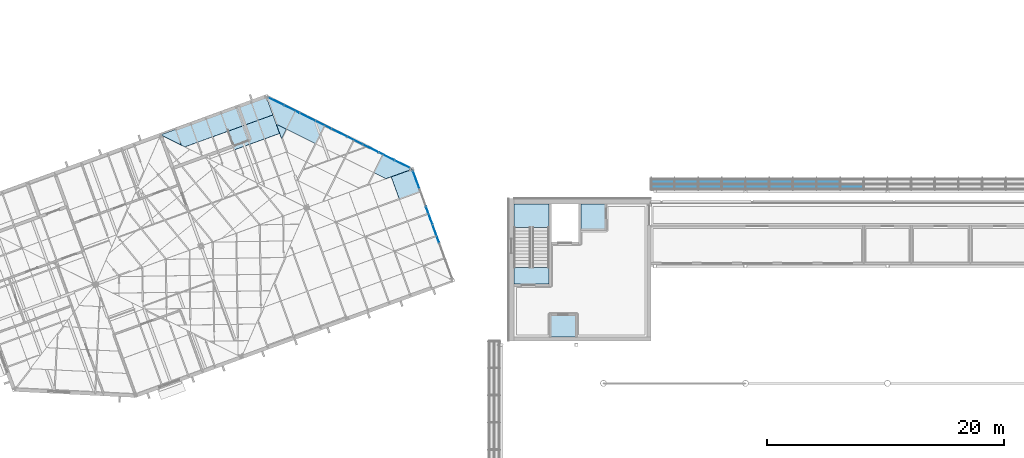
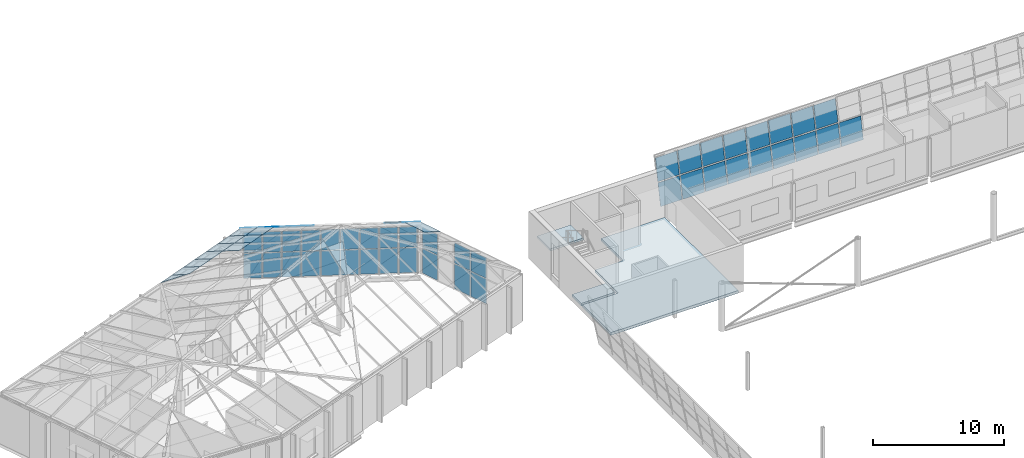
# One storey, part 43 of 95: 56 plates, 3 slabs, 4 elements without a shape of their own.
"""IFC4 building model written with IfcOpenShell, lengths in metres."""

from ifc_helpers import new_model, si_unit, direction, frame, origin, origin_2d, place, context, subcontext, project, spatial, polyline, rectangle, outline, extrude, material, layer, layer_set, type_object, element, aggregate, save


model = new_model("IFC4")

# Units and contexts
model_context = context("Model", 3, precision=1e-05, world=origin(), true_north=direction((0.0, 1.0)))
body_context = subcontext(model_context, "Body", "Model", "MODEL_VIEW")
ifc_project = project(units=[si_unit("LENGTHUNIT", "METRE"), si_unit("AREAUNIT", "SQUARE_METRE"), si_unit("VOLUMEUNIT", "CUBIC_METRE"), si_unit("PLANEANGLEUNIT", "RADIAN"), si_unit("MASSUNIT", "GRAM", prefix="KILO")], contexts=[model_context])

# Site, building, storey
site_placement = place(None, origin())
site = spatial("IfcSite", under=ifc_project, at=site_placement, CompositionType="ELEMENT")
building_placement = place(site_placement, origin())
building = spatial("IfcBuilding", under=site, at=building_placement, Name="Windward Yard Aquatics Centre", CompositionType="ELEMENT")
storey_placement = place(building_placement, frame((0.0, 0.0, 9.39990234375)))
storey = spatial("IfcBuildingStorey", under=building, at=storey_placement, Name="L02", CompositionType="ELEMENT", Elevation=9.39990234375)

# Curtain wall, plates
ifc_material_1 = material(Name="Aluminium, anodised", Category="aluminium")
ifc_layer_1 = layer(ifc_material_1, 0.14990234375)
ifc_layer_set_1 = layer_set([ifc_layer_1], Name="F curtain wall 150 aluminium")
curtain_wall_type_1 = type_object("IfcCurtainWallType", Name="F curtain wall 150 aluminium", PredefinedType="NOTDEFINED", material=ifc_layer_set_1)
curtain_wall_1_placement = place(storey_placement, origin())
curtain_wall_1 = element("IfcCurtainWall", 1, at=curtain_wall_1_placement, inside=storey, type_object=curtain_wall_type_1, Name="Foyer glazing L02 1", PredefinedType="NOTDEFINED")
ifc_material_2 = material(Name="Laminated glass, low-e coated", Category="glass")
ifc_layer_2 = layer(ifc_material_2, 0.028076171875)
ifc_layer_set_2 = layer_set([ifc_layer_2], Name="F curtain wall glass panel 28")
plate_type_1 = type_object("IfcPlateType", Name="F curtain wall glass panel 28", PredefinedType="CURTAIN_PANEL", material=ifc_layer_set_2)
plate_1_placement = place(storey_placement, frame((45.842041015625, 93.03662109375, 0.06005859375), z_axis=(0.0, 0.0, 1.0), x_axis=(-0.342019037998, 0.939693023091, 0.0)))
plate_1 = element("IfcPlate", 2, at=plate_1_placement, type_object=plate_type_1, Name="FCW1 panel 3.1", PredefinedType="CURTAIN_PANEL", context=body_context, shape_type="SweptSolid", body=[
    extrude(rectangle(XDim=1.564208984375, YDim=0.028076171875, at=origin_2d()), origin(), (0.0, 0.0, 1.0), 2.31005859375),
])
plate_2_placement = place(storey_placement, frame((45.842041015625, 93.03662109375, 2.43017578125), z_axis=(0.0, 0.0, 1.0), x_axis=(-0.342019037998, 0.939693023091, 0.0)))
plate_2 = element("IfcPlate", 3, at=plate_2_placement, type_object=plate_type_1, Name="FCW1 panel 3.2", PredefinedType="CURTAIN_PANEL", context=body_context, shape_type="SweptSolid", body=[
    extrude(rectangle(XDim=1.564208984375, YDim=0.028076171875, at=origin_2d()), origin(), (0.0, 0.0, 1.0), 1.909912109375),
])
plate_3_placement = place(storey_placement, frame((45.286376953125, 94.56298828125, 0.06005859375), z_axis=(0.0, 0.0, 1.0), x_axis=(-0.342019037998, 0.939693023091, 0.0)))
plate_3 = element("IfcPlate", 4, at=plate_3_placement, type_object=plate_type_1, Name="FCW1 panel 4.1", PredefinedType="CURTAIN_PANEL", context=body_context, shape_type="SweptSolid", body=[
    extrude(rectangle(XDim=1.564208984375, YDim=0.028076171875, at=origin_2d()), origin(), (0.0, 0.0, 1.0), 2.31005859375),
])
plate_4_placement = place(storey_placement, frame((45.286376953125, 94.56298828125, 2.43017578125), z_axis=(0.0, 0.0, 1.0), x_axis=(-0.342019037998, 0.939693023091, 0.0)))
plate_4 = element("IfcPlate", 5, at=plate_4_placement, type_object=plate_type_1, Name="FCW1 panel 4.2", PredefinedType="CURTAIN_PANEL", context=body_context, shape_type="SweptSolid", body=[
    extrude(rectangle(XDim=1.564208984375, YDim=0.028076171875, at=origin_2d()), origin(), (0.0, 0.0, 1.0), 1.909912109375),
])
plate_5_placement = place(storey_placement, frame((44.180419921875, 97.601806640625, 0.06005859375), z_axis=(0.0, 0.0, 1.0), x_axis=(-0.342019037998, 0.939693023091, 0.0)))
plate_5 = element("IfcPlate", 6, at=plate_5_placement, type_object=plate_type_1, Name="FCW1 panel 6.1", PredefinedType="CURTAIN_PANEL", context=body_context, shape_type="SweptSolid", body=[
    extrude(rectangle(XDim=1.534423828125, YDim=0.028076171875, at=origin_2d()), origin(), (0.0, 0.0, 1.0), 2.31005859375),
])
plate_6_placement = place(storey_placement, frame((44.180419921875, 97.601806640625, 2.43017578125), z_axis=(0.0, 0.0, 1.0), x_axis=(-0.342019037998, 0.939693023091, 0.0)))
plate_6 = element("IfcPlate", 7, at=plate_6_placement, type_object=plate_type_1, Name="FCW1 panel 6.2", PredefinedType="CURTAIN_PANEL", context=body_context, shape_type="SweptSolid", body=[
    extrude(rectangle(XDim=1.534423828125, YDim=0.028076171875, at=origin_2d()), origin(), (0.0, 0.0, 1.0), 1.909912109375),
])
aggregate(curtain_wall_1, [plate_1, plate_2, plate_3, plate_4, plate_5, plate_6])

curtain_wall_2_placement = place(storey_placement, origin())
curtain_wall_2 = element("IfcCurtainWall", 8, at=curtain_wall_2_placement, inside=storey, type_object=curtain_wall_type_1, Name="Foyer glazing L02 2", PredefinedType="NOTDEFINED")
plate_7_placement = place(storey_placement, frame((43.003662109375, 98.921875, 0.06005859375), z_axis=(0.0, 0.0, 1.0), x_axis=(-0.895178919872, 0.445706968105, 0.0)))
plate_7 = element("IfcPlate", 9, at=plate_7_placement, type_object=plate_type_1, Name="FCW2 panel 1.1", PredefinedType="CURTAIN_PANEL", context=body_context, shape_type="SweptSolid", body=[
    extrude(rectangle(XDim=1.400390625, YDim=0.028076171875, at=origin_2d()), origin(), (0.0, 0.0, 1.0), 2.31005859375),
])
plate_8_placement = place(storey_placement, frame((43.003662109375, 98.921875, 2.43017578125), z_axis=(0.0, 0.0, 1.0), x_axis=(-0.895178919872, 0.445706968105, 0.0)))
plate_8 = element("IfcPlate", 10, at=plate_8_placement, type_object=plate_type_1, Name="FCW2 panel 1.2", PredefinedType="CURTAIN_PANEL", context=body_context, shape_type="SweptSolid", body=[
    extrude(rectangle(XDim=1.400390625, YDim=0.028076171875, at=origin_2d()), origin(), (0.0, 0.0, 1.0), 1.909912109375),
])
plate_9_placement = place(storey_placement, frame((41.682861328125, 99.57958984375, 0.06005859375), z_axis=(0.0, 0.0, 1.0), x_axis=(-0.895178919872, 0.445706968105, 0.0)))
plate_9 = element("IfcPlate", 11, at=plate_9_placement, type_object=plate_type_1, Name="FCW2 panel 2.1", PredefinedType="CURTAIN_PANEL", context=body_context, shape_type="SweptSolid", body=[
    extrude(rectangle(XDim=1.430419921875, YDim=0.028076171875, at=origin_2d()), origin(), (0.0, 0.0, 1.0), 2.31005859375),
])
plate_10_placement = place(storey_placement, frame((41.682861328125, 99.57958984375, 2.43017578125), z_axis=(0.0, 0.0, 1.0), x_axis=(-0.895178919872, 0.445706968105, 0.0)))
plate_10 = element("IfcPlate", 12, at=plate_10_placement, type_object=plate_type_1, Name="FCW2 panel 2.2", PredefinedType="CURTAIN_PANEL", context=body_context, shape_type="SweptSolid", body=[
    extrude(rectangle(XDim=1.430419921875, YDim=0.028076171875, at=origin_2d()), origin(), (0.0, 0.0, 1.0), 1.909912109375),
])
plate_11_placement = place(storey_placement, frame((40.348876953125, 100.24365234375, 0.06005859375), z_axis=(0.0, 0.0, 1.0), x_axis=(-0.895178919872, 0.445706968105, 0.0)))
plate_11 = element("IfcPlate", 13, at=plate_11_placement, type_object=plate_type_1, Name="FCW2 panel 3.1", PredefinedType="CURTAIN_PANEL", context=body_context, shape_type="SweptSolid", body=[
    extrude(rectangle(XDim=1.430419921875, YDim=0.028076171875, at=origin_2d()), origin(), (0.0, 0.0, 1.0), 2.31005859375),
])
plate_12_placement = place(storey_placement, frame((40.348876953125, 100.24365234375, 2.43017578125), z_axis=(0.0, 0.0, 1.0), x_axis=(-0.895178919872, 0.445706968105, 0.0)))
plate_12 = element("IfcPlate", 14, at=plate_12_placement, type_object=plate_type_1, Name="FCW2 panel 3.2", PredefinedType="CURTAIN_PANEL", context=body_context, shape_type="SweptSolid", body=[
    extrude(rectangle(XDim=1.430419921875, YDim=0.028076171875, at=origin_2d()), origin(), (0.0, 0.0, 1.0), 1.909912109375),
])
plate_13_placement = place(storey_placement, frame((39.0146484375, 100.907958984375, 0.06005859375), z_axis=(0.0, 0.0, 1.0), x_axis=(-0.895178919872, 0.445706968105, 0.0)))
plate_13 = element("IfcPlate", 15, at=plate_13_placement, type_object=plate_type_1, Name="FCW2 panel 4.1", PredefinedType="CURTAIN_PANEL", context=body_context, shape_type="SweptSolid", body=[
    extrude(rectangle(XDim=1.430419921875, YDim=0.028076171875, at=origin_2d()), origin(), (0.0, 0.0, 1.0), 2.31005859375),
])
plate_14_placement = place(storey_placement, frame((39.0146484375, 100.907958984375, 2.43017578125), z_axis=(0.0, 0.0, 1.0), x_axis=(-0.895178919872, 0.445706968105, 0.0)))
plate_14 = element("IfcPlate", 16, at=plate_14_placement, type_object=plate_type_1, Name="FCW2 panel 4.2", PredefinedType="CURTAIN_PANEL", context=body_context, shape_type="SweptSolid", body=[
    extrude(rectangle(XDim=1.430419921875, YDim=0.028076171875, at=origin_2d()), origin(), (0.0, 0.0, 1.0), 1.909912109375),
])
plate_15_placement = place(storey_placement, frame((37.6806640625, 101.572265625, 0.06005859375), z_axis=(0.0, 0.0, 1.0), x_axis=(-0.895178919872, 0.445706968105, 0.0)))
plate_15 = element("IfcPlate", 17, at=plate_15_placement, type_object=plate_type_1, Name="FCW2 panel 5.1", PredefinedType="CURTAIN_PANEL", context=body_context, shape_type="SweptSolid", body=[
    extrude(rectangle(XDim=1.430419921875, YDim=0.028076171875, at=origin_2d()), origin(), (0.0, 0.0, 1.0), 2.31005859375),
])
plate_16_placement = place(storey_placement, frame((37.6806640625, 101.572265625, 2.43017578125), z_axis=(0.0, 0.0, 1.0), x_axis=(-0.895178919872, 0.445706968105, 0.0)))
plate_16 = element("IfcPlate", 18, at=plate_16_placement, type_object=plate_type_1, Name="FCW2 panel 5.2", PredefinedType="CURTAIN_PANEL", context=body_context, shape_type="SweptSolid", body=[
    extrude(rectangle(XDim=1.430419921875, YDim=0.028076171875, at=origin_2d()), origin(), (0.0, 0.0, 1.0), 1.909912109375),
])
plate_17_placement = place(storey_placement, frame((36.346435546875, 102.236572265625, 0.06005859375), z_axis=(0.0, 0.0, 1.0), x_axis=(-0.895178919872, 0.445706968105, 0.0)))
plate_17 = element("IfcPlate", 19, at=plate_17_placement, type_object=plate_type_1, Name="FCW2 panel 6.1", PredefinedType="CURTAIN_PANEL", context=body_context, shape_type="SweptSolid", body=[
    extrude(rectangle(XDim=1.430419921875, YDim=0.028076171875, at=origin_2d()), origin(), (0.0, 0.0, 1.0), 2.31005859375),
])
plate_18_placement = place(storey_placement, frame((36.346435546875, 102.236572265625, 2.43017578125), z_axis=(0.0, 0.0, 1.0), x_axis=(-0.895178919872, 0.445706968105, 0.0)))
plate_18 = element("IfcPlate", 20, at=plate_18_placement, type_object=plate_type_1, Name="FCW2 panel 6.2", PredefinedType="CURTAIN_PANEL", context=body_context, shape_type="SweptSolid", body=[
    extrude(rectangle(XDim=1.430419921875, YDim=0.028076171875, at=origin_2d()), origin(), (0.0, 0.0, 1.0), 1.909912109375),
])
plate_19_placement = place(storey_placement, frame((35.01220703125, 102.90087890625, 0.06005859375), z_axis=(0.0, 0.0, 1.0), x_axis=(-0.895178919872, 0.445706968105, 0.0)))
plate_19 = element("IfcPlate", 21, at=plate_19_placement, type_object=plate_type_1, Name="FCW2 panel 7.1", PredefinedType="CURTAIN_PANEL", context=body_context, shape_type="SweptSolid", body=[
    extrude(rectangle(XDim=1.430419921875, YDim=0.028076171875, at=origin_2d()), origin(), (0.0, 0.0, 1.0), 2.31005859375),
])
plate_20_placement = place(storey_placement, frame((35.01220703125, 102.90087890625, 2.43017578125), z_axis=(0.0, 0.0, 1.0), x_axis=(-0.895178919872, 0.445706968105, 0.0)))
plate_20 = element("IfcPlate", 22, at=plate_20_placement, type_object=plate_type_1, Name="FCW2 panel 7.2", PredefinedType="CURTAIN_PANEL", context=body_context, shape_type="SweptSolid", body=[
    extrude(rectangle(XDim=1.430419921875, YDim=0.028076171875, at=origin_2d()), origin(), (0.0, 0.0, 1.0), 1.909912109375),
])
plate_21_placement = place(storey_placement, frame((33.67822265625, 103.56494140625, 0.06005859375), z_axis=(0.0, 0.0, 1.0), x_axis=(-0.895178919872, 0.445706968105, 0.0)))
plate_21 = element("IfcPlate", 23, at=plate_21_placement, type_object=plate_type_1, Name="FCW2 panel 8.1", PredefinedType="CURTAIN_PANEL", context=body_context, shape_type="SweptSolid", body=[
    extrude(rectangle(XDim=1.430419921875, YDim=0.028076171875, at=origin_2d()), origin(), (0.0, 0.0, 1.0), 2.31005859375),
])
plate_22_placement = place(storey_placement, frame((33.67822265625, 103.56494140625, 2.43017578125), z_axis=(0.0, 0.0, 1.0), x_axis=(-0.895178919872, 0.445706968105, 0.0)))
plate_22 = element("IfcPlate", 24, at=plate_22_placement, type_object=plate_type_1, Name="FCW2 panel 8.2", PredefinedType="CURTAIN_PANEL", context=body_context, shape_type="SweptSolid", body=[
    extrude(rectangle(XDim=1.430419921875, YDim=0.028076171875, at=origin_2d()), origin(), (0.0, 0.0, 1.0), 1.909912109375),
])
plate_23_placement = place(storey_placement, frame((32.357421875, 104.22265625, 0.06005859375), z_axis=(0.0, 0.0, 1.0), x_axis=(-0.895178919872, 0.445706968105, 0.0)))
plate_23 = element("IfcPlate", 25, at=plate_23_placement, type_object=plate_type_1, Name="FCW2 panel 9.1", PredefinedType="CURTAIN_PANEL", context=body_context, shape_type="SweptSolid", body=[
    extrude(rectangle(XDim=1.400390625, YDim=0.028076171875, at=origin_2d()), origin(), (0.0, 0.0, 1.0), 2.31005859375),
])
plate_24_placement = place(storey_placement, frame((32.357421875, 104.22265625, 2.43017578125), z_axis=(0.0, 0.0, 1.0), x_axis=(-0.895178919872, 0.445706968105, 0.0)))
plate_24 = element("IfcPlate", 26, at=plate_24_placement, type_object=plate_type_1, Name="FCW2 panel 9.2", PredefinedType="CURTAIN_PANEL", context=body_context, shape_type="SweptSolid", body=[
    extrude(rectangle(XDim=1.400390625, YDim=0.028076171875, at=origin_2d()), origin(), (0.0, 0.0, 1.0), 1.909912109375),
])
aggregate(curtain_wall_2, [plate_7, plate_8, plate_9, plate_10, plate_11, plate_12, plate_13, plate_14, plate_15, plate_16, plate_17, plate_18, plate_19, plate_20, plate_21, plate_22, plate_23, plate_24])

# Plates
ifc_layer_3 = layer(ifc_material_2, 0.035888671875)
ifc_layer_set_3 = layer_set([ifc_layer_3], Name="F roof glass panel 36")
plate_type_2 = type_object("IfcPlateType", Name="F roof glass panel 36", PredefinedType="SHEET", material=ifc_layer_set_3)
plate_25_placement = place(storey_placement, frame((42.0712890625, 97.847412109375, 5.718994140625), z_axis=(0.427292527652, 0.155500443488, 0.890640616572), x_axis=(0.836937804976, 0.304591231847, -0.45470791953)))
element("IfcPlate", 27, at=plate_25_placement, inside=storey, type_object=plate_type_2, Name="F.RF.G.03.001", PredefinedType="SHEET", context=body_context, shape_type="SweptSolid", body=[
    extrude(outline(polyline([(0.0, 0.0), (2.128878, 0.0), (2.128854, -1.996081), (-2.4e-05, -1.996081), (0.0, 0.0)])), origin(), (0.0, 0.0, -1.0), 0.035888671875),
])
plate_26_placement = place(storey_placement, frame((31.510498046875, 104.64208984375, 4.75146484375), z_axis=(0.25660191592, 0.515410342015, 0.817623162643), x_axis=(0.895190085326, -0.445684542161, 3.585146e-06)))
element("IfcPlate", 28, at=plate_26_placement, inside=storey, type_object=plate_type_2, Name="F.RF.G.04.001", PredefinedType="SHEET", context=body_context, shape_type="SweptSolid", body=[
    extrude(outline(polyline([(0.0, 0.0), (2.751525, 0.0), (2.751542, -2.101084), (1.808199, -2.101107), (0.0, 0.0)])), origin(), (0.0, 0.0, -1.0), 0.035888671875),
])
plate_27_placement = place(storey_placement, frame((32.365478515625, 102.29296875, 5.964111328125), z_axis=(0.25663287875, 0.515360719775, 0.817644723617), x_axis=(0.895153773972, -0.445757468746, 0.0)))
element("IfcPlate", 29, at=plate_27_placement, inside=storey, type_object=plate_type_2, Name="F.RF.G.04.002", PredefinedType="SHEET", context=body_context, shape_type="SweptSolid", body=[
    extrude(outline(polyline([(0.0, 0.0), (0.939303, 0.0), (0.93927, -1.091104), (0.0, 0.0)])), origin(), (0.0, 0.0, -1.0), 0.035888671875),
])
plate_28_placement = place(storey_placement, frame((33.211669921875, 101.876220703125, 5.961181640625), z_axis=(0.256660698459, 0.515413670232, 0.817602613991), x_axis=(0.364433923926, 0.73188930151, -0.575782915192)))
element("IfcPlate", 30, at=plate_28_placement, inside=storey, type_object=plate_type_2, Name="F.RF.G.04.003", PredefinedType="SHEET", context=body_context, shape_type="SweptSolid", body=[
    extrude(outline(polyline([(0.0, 0.0), (2.100905, 0.0), (2.100932, -2.754582), (-0.000152, -2.754691), (0.0, 0.0)])), origin(), (0.0, 0.0, -1.0), 0.035888671875),
])
plate_29_placement = place(storey_placement, frame((40.619873046875, 98.1875, 5.961181640625), z_axis=(0.256597928, 0.515446715017, 0.817601484419), x_axis=(0.364433419138, 0.731888292272, -0.575784517551)))
element("IfcPlate", 31, at=plate_29_placement, inside=storey, type_object=plate_type_2, Name="F.RF.G.04.014", PredefinedType="SHEET", context=body_context, shape_type="SweptSolid", body=[
    extrude(outline(polyline([(0.0, 0.0), (2.100905, 0.0), (2.101204, -2.751962), (4e-06, -1.12011), (0.0, 0.0)])), origin(), (0.0, 0.0, -1.0), 0.035888671875),
])
plate_30_placement = place(storey_placement, frame((22.5849609375, 101.396484375, 4.7509765625), z_axis=(-0.149271537945, 0.410102248539, 0.89974115928), x_axis=(0.939687814432, 0.342033348385, 0.0)))
element("IfcPlate", 32, at=plate_30_placement, inside=storey, type_object=plate_type_2, Name="F.RF.G.05.001", PredefinedType="SHEET", context=body_context, shape_type="SweptSolid", body=[
    extrude(outline(polyline([(0.0, 0.0), (1.350494, 0.0), (1.35041, -1.579778), (0.0, 0.0)])), origin(), (0.0, 0.0, -1.0), 0.035888671875),
])
plate_31_placement = place(storey_placement, frame((23.857666015625, 101.85986328125, 4.7509765625), z_axis=(-0.14931336394, 0.410151910762, 0.899711581256), x_axis=(0.939667575362, 0.342088947203, -3.899787e-06)))
element("IfcPlate", 33, at=plate_31_placement, inside=storey, type_object=plate_type_2, Name="F.RF.G.05.002", PredefinedType="SHEET", context=body_context, shape_type="SweptSolid", body=[
    extrude(outline(polyline([(0.0, 0.0), (1.353122, 0.0), (1.353133, -1.848151), (0.224843, -1.847926), (-0.000215, -1.584697), (0.0, 0.0)])), origin(), (0.0, 0.0, -1.0), 0.035888671875),
])
plate_32_placement = place(storey_placement, frame((25.133056640625, 102.32421875, 4.7509765625), z_axis=(-0.149287913638, 0.41017750157, 0.899704138063), x_axis=(0.939719393024, 0.341946576626, 3.329441e-05)))
element("IfcPlate", 34, at=plate_32_placement, inside=storey, type_object=plate_type_2, Name="F.RF.G.05.004", PredefinedType="SHEET", context=body_context, shape_type="SweptSolid", body=[
    extrude(outline(polyline([(0.0, 0.0), (1.353039, 0.0), (1.353185, -1.84787), (6.3e-05, -1.848076), (0.0, 0.0)])), origin(), (0.0, 0.0, -1.0), 0.035888671875),
])
plate_33_placement = place(storey_placement, frame((26.408203125, 102.7880859375, 4.7509765625), z_axis=(-0.149315331607, 0.410184021453, 0.899696615694), x_axis=(0.939668939565, 0.342085199725, -1.2119186e-05)))
element("IfcPlate", 35, at=plate_33_placement, inside=storey, type_object=plate_type_2, Name="F.RF.G.05.007", PredefinedType="SHEET", context=body_context, shape_type="SweptSolid", body=[
    extrude(outline(polyline([(0.0, 0.0), (1.353122, 0.0), (1.353216, -1.847945), (-0.000135, -1.84787), (0.0, 0.0)])), origin(), (0.0, 0.0, -1.0), 0.035888671875),
])
plate_34_placement = place(storey_placement, frame((27.68359375, 103.25244140625, 4.7509765625), z_axis=(-0.149287913638, 0.41017750157, 0.899704138063), x_axis=(0.939719393024, 0.341946576626, 3.329441e-05)))
element("IfcPlate", 36, at=plate_34_placement, inside=storey, type_object=plate_type_2, Name="F.RF.G.05.011", PredefinedType="SHEET", context=body_context, shape_type="SweptSolid", body=[
    extrude(outline(polyline([(0.0, 0.0), (1.353039, 0.0), (1.353185, -1.84787), (6.3e-05, -1.848076), (0.0, 0.0)])), origin(), (0.0, 0.0, -1.0), 0.035888671875),
])
plate_35_placement = place(storey_placement, frame((28.253662109375, 101.686279296875, 5.559326171875), z_axis=(-0.149277761792, 0.410041446946, 0.899767837623), x_axis=(0.939666928156, 0.342090724997, 0.0)))
element("IfcPlate", 37, at=plate_35_placement, inside=storey, type_object=plate_type_2, Name="F.RF.G.05.012", PredefinedType="SHEET", context=body_context, shape_type="SweptSolid", body=[
    extrude(outline(polyline([(0.0, 0.0), (1.353122, 0.0), (1.352904, -1.84797), (-0.000219, -1.84797), (0.0, 0.0)])), origin(), (0.0, 0.0, -1.0), 0.035888671875),
])
plate_36_placement = place(storey_placement, frame((28.958740234375, 103.716552734375, 4.7509765625), z_axis=(-0.149272224687, 0.410173770657, 0.899708442109), x_axis=(0.939691550592, 0.342023082988, -2.1172776e-05)))
element("IfcPlate", 38, at=plate_36_placement, inside=storey, type_object=plate_type_2, Name="F.RF.G.05.016", PredefinedType="SHEET", context=body_context, shape_type="SweptSolid", body=[
    extrude(outline(polyline([(0.0, 0.0), (1.353352, 0.0), (1.353236, -1.848076), (0.000197, -1.847945), (0.0, 0.0)])), origin(), (0.0, 0.0, -1.0), 0.035888671875),
])
plate_37_placement = place(storey_placement, frame((29.52880859375, 102.150390625, 5.559326171875), z_axis=(-0.149262073351, 0.410037715744, 0.89977214067), x_axis=(0.93966893813, 0.342085203666, -1.2115881e-05)))
element("IfcPlate", 39, at=plate_37_placement, inside=storey, type_object=plate_type_2, Name="F.RF.G.05.017", PredefinedType="SHEET", context=body_context, shape_type="SweptSolid", body=[
    extrude(outline(polyline([(0.0, 0.0), (1.353122, 0.0), (1.353133, -1.848045), (-0.000219, -1.84797), (0.0, 0.0)])), origin(), (0.0, 0.0, -1.0), 0.035888671875),
])
plate_38_placement = place(storey_placement, frame((30.234130859375, 104.180908203125, 4.7509765625), z_axis=(-0.149287913638, 0.41017750157, 0.899704138063), x_axis=(0.939719393024, 0.341946576626, 3.329441e-05)))
element("IfcPlate", 40, at=plate_38_placement, inside=storey, type_object=plate_type_2, Name="F.RF.G.05.021", PredefinedType="SHEET", context=body_context, shape_type="SweptSolid", body=[
    extrude(outline(polyline([(0.0, 0.0), (1.353039, 0.0), (1.353185, -1.84787), (6.3e-05, -1.848076), (0.0, 0.0)])), origin(), (0.0, 0.0, -1.0), 0.035888671875),
])
plate_39_placement = place(storey_placement, frame((30.80419921875, 102.614501953125, 5.559326171875), z_axis=(-0.149251335498, 0.410077000937, 0.899756018126), x_axis=(0.939672450294, 0.342075554595, -3.3286118e-05)))
element("IfcPlate", 41, at=plate_39_placement, inside=storey, type_object=plate_type_2, Name="F.RF.G.05.022", PredefinedType="SHEET", context=body_context, shape_type="SweptSolid", body=[
    extrude(outline(polyline([(0.0, 0.0), (1.353122, 0.0), (1.352904, -1.84797), (-0.000135, -1.847763), (0.0, 0.0)])), origin(), (0.0, 0.0, -1.0), 0.035888671875),
])

# Slabs
ifc_material_3 = material(Name="Concrete C35/45", Category="concrete")
ifc_layer_4 = layer(ifc_material_3, 0.25)
ifc_layer_set_4 = layer_set([ifc_layer_4], Name="H Core Floor Concrete C35/45 250")
slab_type_1 = type_object("IfcSlabType", Name="H Core Floor Concrete C35/45 250", PredefinedType="FLOOR", material=ifc_layer_set_4)
slab_1_placement = place(storey_placement, frame((0.0, 0.0, -0.25)))
element("IfcSlab", 42, at=slab_1_placement, inside=storey, type_object=slab_type_1, Name="L02 core floor NW", PredefinedType="FLOOR", context=body_context, shape_type="SweptSolid", body=[
    extrude(outline(polyline([(52.449951171875, 84.300048828125), (63.699951171875, 84.300048828125), (63.699951171875, 95.550048828125), (58.10009765625, 95.550048828125), (58.10009765625, 92.14990234375), (55.60009765625, 92.14990234375), (55.60009765625, 88.60009765625), (52.449951171875, 88.60009765625), (52.449951171875, 84.300048828125)])), origin(), (0.0, 0.0, 1.0), 0.25),
])
slab_2_placement = place(storey_placement, frame((0.0, 0.0, -0.25)))
element("IfcSlab", 43, at=slab_2_placement, inside=storey, type_object=slab_type_1, Name="L02 stair floor landing NW", PredefinedType="FLOOR", context=body_context, shape_type="SweptSolid", body=[
    extrude(outline(polyline([(52.449951171875, 88.800048828125), (55.39990234375, 88.800048828125), (55.39990234375, 90.199951171875), (52.449951171875, 90.199951171875), (52.449951171875, 88.800048828125)])), origin(), (0.0, 0.0, 1.0), 0.25),
])

# Stair, slab
stair_type = type_object("IfcStairType", Name="H Core Stair Concrete C35/45 1400", PredefinedType="HALF_TURN_STAIR", material=ifc_material_3)
stair_placement = place(storey_placement, origin())
stair = element("IfcStair", 44, at=stair_placement, inside=storey, type_object=stair_type, Name="L02 Stair NW", PredefinedType="HALF_TURN_STAIR")
ifc_layer_5 = layer(ifc_material_3, 0.199951171875)
ifc_layer_set_5 = layer_set([ifc_layer_5], Name="H Stair Landing Concrete C35/45 200")
slab_type_2 = type_object("IfcSlabType", Name="H Stair Landing Concrete C35/45 200", PredefinedType="LANDING", material=ifc_layer_set_5)
slab_3_placement = place(storey_placement, frame((0.0, 0.0, 2.0)))
slab_3 = element("IfcSlab", 45, at=slab_3_placement, type_object=slab_type_2, Name="ST3 landing 1", PredefinedType="LANDING", context=body_context, shape_type="SweptSolid", body=[
    extrude(outline(polyline([(52.449951171875, 93.56005859375), (55.39990234375, 93.56005859375), (55.39990234375, 95.550048828125), (52.449951171875, 95.550048828125), (52.449951171875, 93.56005859375)])), origin(), (0.0, 0.0, 1.0), 0.2001953125),
])
aggregate(stair, [slab_3])

# Curtain wall, plates
ifc_material_4 = material(Name="Glass and aluminium curtain wall", Category="aluminium")
ifc_layer_6 = layer(ifc_material_4, 0.179931640625)
ifc_layer_set_6 = layer_set([ifc_layer_6], Name="H curtain wall tier 1 double glazed 8+16+8")
curtain_wall_type_2 = type_object("IfcCurtainWallType", Name="H curtain wall tier 1 double glazed 8+16+8", PredefinedType="NOTDEFINED", material=ifc_layer_set_6)
curtain_wall_3_placement = place(storey_placement, origin())
curtain_wall_3 = element("IfcCurtainWall", 46, at=curtain_wall_3_placement, inside=storey, type_object=curtain_wall_type_2, Name="Tier 1 glazing N L02", PredefinedType="NOTDEFINED")
ifc_material_5 = material(Name="Low-iron glass", Category="glass")
ifc_layer_7 = layer(ifc_material_5, 0.008, Name="Outer pane")
ifc_material_6 = material(Name="Argon-filled cavity")
ifc_layer_8 = layer(ifc_material_6, 0.016, Name="Cavity")
ifc_layer_9 = layer(ifc_material_5, 0.008, Name="Inner pane")
ifc_layer_set_7 = layer_set([ifc_layer_7, ifc_layer_8, ifc_layer_9], Name="H tier 1 glass low-e double glazed unit 32")
plate_type_3 = type_object("IfcPlateType", Name="H tier 1 glass low-e double glazed unit 32", PredefinedType="CURTAIN_PANEL", material=ifc_layer_set_7)
plate_40_placement = place(storey_placement, frame((64.06494140625, 96.8076171875, 0.101318359375), z_axis=(0.0, -0.979933459069, 0.199324900092), x_axis=(1.0, 0.0, 0.0)))
plate_40 = element("IfcPlate", 47, at=plate_40_placement, type_object=plate_type_3, Name="G1NA panel 1.1", PredefinedType="CURTAIN_PANEL", context=body_context, shape_type="SweptSolid", body=[
    extrude(outline(polyline([(0.0, 0.0), (1.902344, 0.0), (1.902344, 2.018532), (0.0, 2.018532), (0.0, 0.0)])), origin(), (0.0, 0.0, -1.0), 0.031982421875),
])
plate_41_placement = place(storey_placement, frame((64.06494140625, 97.22998046875, 2.17724609375), z_axis=(0.0, -0.979926619255, 0.199358523457), x_axis=(1.0, 0.0, 0.0)))
plate_41 = element("IfcPlate", 48, at=plate_41_placement, type_object=plate_type_3, Name="G1NA panel 1.2", PredefinedType="CURTAIN_PANEL", context=body_context, shape_type="SweptSolid", body=[
    extrude(outline(polyline([(0.0, 0.0), (1.902344, 0.0), (1.902344, 2.012069), (0.0, 2.012069), (0.0, 0.0)])), origin(), (0.0, 0.0, -1.0), 0.031982421875),
])
plate_42_placement = place(storey_placement, frame((66.0322265625, 96.8076171875, 0.101318359375), z_axis=(0.0, -0.979933459069, 0.199324900092), x_axis=(1.0, 0.0, 0.0)))
plate_42 = element("IfcPlate", 49, at=plate_42_placement, type_object=plate_type_3, Name="G1NA panel 2.1", PredefinedType="CURTAIN_PANEL", context=body_context, shape_type="SweptSolid", body=[
    extrude(outline(polyline([(0.0, 0.0), (1.934814, 0.0), (1.934814, 2.018532), (0.0, 2.018532), (0.0, 0.0)])), origin(), (0.0, 0.0, -1.0), 0.031982421875),
])
plate_43_placement = place(storey_placement, frame((66.0322265625, 97.22998046875, 2.17724609375), z_axis=(0.0, -0.979926619255, 0.199358523457), x_axis=(1.0, 0.0, 0.0)))
plate_43 = element("IfcPlate", 50, at=plate_43_placement, type_object=plate_type_3, Name="G1NA panel 2.2", PredefinedType="CURTAIN_PANEL", context=body_context, shape_type="SweptSolid", body=[
    extrude(outline(polyline([(0.0, 0.0), (1.934814, 0.0), (1.934814, 2.012069), (0.0, 2.012069), (0.0, 0.0)])), origin(), (0.0, 0.0, -1.0), 0.031982421875),
])
plate_44_placement = place(storey_placement, frame((68.031982421875, 96.8076171875, 0.101318359375), z_axis=(0.0, -0.979933459069, 0.199324900092), x_axis=(1.0, 0.0, 0.0)))
plate_44 = element("IfcPlate", 51, at=plate_44_placement, type_object=plate_type_3, Name="G1NA panel 3.1", PredefinedType="CURTAIN_PANEL", context=body_context, shape_type="SweptSolid", body=[
    extrude(outline(polyline([(0.0, 0.0), (1.934814, 0.0), (1.934814, 2.018532), (0.0, 2.018532), (0.0, 0.0)])), origin(), (0.0, 0.0, -1.0), 0.031982421875),
])
plate_45_placement = place(storey_placement, frame((68.031982421875, 97.22998046875, 2.17724609375), z_axis=(0.0, -0.979926619255, 0.199358523457), x_axis=(1.0, 0.0, 0.0)))
plate_45 = element("IfcPlate", 52, at=plate_45_placement, type_object=plate_type_3, Name="G1NA panel 3.2", PredefinedType="CURTAIN_PANEL", context=body_context, shape_type="SweptSolid", body=[
    extrude(outline(polyline([(0.0, 0.0), (1.934814, 0.0), (1.934814, 2.012069), (0.0, 2.012069), (0.0, 0.0)])), origin(), (0.0, 0.0, -1.0), 0.031982421875),
])
plate_46_placement = place(storey_placement, frame((70.03173828125, 96.8076171875, 0.101318359375), z_axis=(0.0, -0.979933459069, 0.199324900092), x_axis=(1.0, 0.0, 0.0)))
plate_46 = element("IfcPlate", 53, at=plate_46_placement, type_object=plate_type_3, Name="G1NA panel 4.1", PredefinedType="CURTAIN_PANEL", context=body_context, shape_type="SweptSolid", body=[
    extrude(outline(polyline([(0.0, 0.0), (1.934814, 0.0), (1.934814, 2.018532), (0.0, 2.018532), (0.0, 0.0)])), origin(), (0.0, 0.0, -1.0), 0.031982421875),
])
plate_47_placement = place(storey_placement, frame((70.03173828125, 97.22998046875, 2.17724609375), z_axis=(0.0, -0.979926619255, 0.199358523457), x_axis=(1.0, 0.0, 0.0)))
plate_47 = element("IfcPlate", 54, at=plate_47_placement, type_object=plate_type_3, Name="G1NA panel 4.2", PredefinedType="CURTAIN_PANEL", context=body_context, shape_type="SweptSolid", body=[
    extrude(outline(polyline([(0.0, 0.0), (1.934814, 0.0), (1.934814, 2.012069), (0.0, 2.012069), (0.0, 0.0)])), origin(), (0.0, 0.0, -1.0), 0.031982421875),
])
plate_48_placement = place(storey_placement, frame((72.031494140625, 96.8076171875, 0.101318359375), z_axis=(0.0, -0.979933459069, 0.199324900092), x_axis=(1.0, 0.0, 0.0)))
plate_48 = element("IfcPlate", 55, at=plate_48_placement, type_object=plate_type_3, Name="G1NA panel 5.1", PredefinedType="CURTAIN_PANEL", context=body_context, shape_type="SweptSolid", body=[
    extrude(outline(polyline([(0.0, 0.0), (1.93457, 0.0), (1.93457, 2.018532), (0.0, 2.018532), (0.0, 0.0)])), origin(), (0.0, 0.0, -1.0), 0.031982421875),
])
plate_49_placement = place(storey_placement, frame((72.031494140625, 97.22998046875, 2.17724609375), z_axis=(0.0, -0.979926619255, 0.199358523457), x_axis=(1.0, 0.0, 0.0)))
plate_49 = element("IfcPlate", 56, at=plate_49_placement, type_object=plate_type_3, Name="G1NA panel 5.2", PredefinedType="CURTAIN_PANEL", context=body_context, shape_type="SweptSolid", body=[
    extrude(outline(polyline([(0.0, 0.0), (1.93457, 0.0), (1.93457, 2.012069), (0.0, 2.012069), (0.0, 0.0)])), origin(), (0.0, 0.0, -1.0), 0.031982421875),
])
plate_50_placement = place(storey_placement, frame((74.03125, 96.8076171875, 0.101318359375), z_axis=(0.0, -0.979933459069, 0.199324900092), x_axis=(1.0, 0.0, 0.0)))
plate_50 = element("IfcPlate", 57, at=plate_50_placement, type_object=plate_type_3, Name="G1NA panel 6.1", PredefinedType="CURTAIN_PANEL", context=body_context, shape_type="SweptSolid", body=[
    extrude(outline(polyline([(0.0, 0.0), (1.93457, 0.0), (1.93457, 2.018532), (0.0, 2.018532), (0.0, 0.0)])), origin(), (0.0, 0.0, -1.0), 0.031982421875),
])
plate_51_placement = place(storey_placement, frame((74.03125, 97.22998046875, 2.17724609375), z_axis=(0.0, -0.979926619255, 0.199358523457), x_axis=(1.0, 0.0, 0.0)))
plate_51 = element("IfcPlate", 58, at=plate_51_placement, type_object=plate_type_3, Name="G1NA panel 6.2", PredefinedType="CURTAIN_PANEL", context=body_context, shape_type="SweptSolid", body=[
    extrude(outline(polyline([(0.0, 0.0), (1.93457, 0.0), (1.93457, 2.012069), (0.0, 2.012069), (0.0, 0.0)])), origin(), (0.0, 0.0, -1.0), 0.031982421875),
])
plate_52_placement = place(storey_placement, frame((76.031005859375, 96.8076171875, 0.101318359375), z_axis=(0.0, -0.979933459069, 0.199324900092), x_axis=(1.0, 0.0, 0.0)))
plate_52 = element("IfcPlate", 59, at=plate_52_placement, type_object=plate_type_3, Name="G1NA panel 7.1", PredefinedType="CURTAIN_PANEL", context=body_context, shape_type="SweptSolid", body=[
    extrude(outline(polyline([(0.0, 0.0), (1.93457, 0.0), (1.93457, 2.018532), (0.0, 2.018532), (0.0, 0.0)])), origin(), (0.0, 0.0, -1.0), 0.031982421875),
])
plate_53_placement = place(storey_placement, frame((76.031005859375, 97.22998046875, 2.17724609375), z_axis=(0.0, -0.979926619255, 0.199358523457), x_axis=(1.0, 0.0, 0.0)))
plate_53 = element("IfcPlate", 60, at=plate_53_placement, type_object=plate_type_3, Name="G1NA panel 7.2", PredefinedType="CURTAIN_PANEL", context=body_context, shape_type="SweptSolid", body=[
    extrude(outline(polyline([(0.0, 0.0), (1.93457, 0.0), (1.93457, 2.012069), (0.0, 2.012069), (0.0, 0.0)])), origin(), (0.0, 0.0, -1.0), 0.031982421875),
])
plate_54_placement = place(storey_placement, frame((78.03076171875, 96.8076171875, 0.101318359375), z_axis=(0.0, -0.979933459069, 0.199324900092), x_axis=(1.0, 0.0, 0.0)))
plate_54 = element("IfcPlate", 61, at=plate_54_placement, type_object=plate_type_3, Name="G1NA panel 8.1", PredefinedType="CURTAIN_PANEL", context=body_context, shape_type="SweptSolid", body=[
    extrude(outline(polyline([(0.0, 0.0), (1.93457, 0.0), (1.93457, 2.018532), (0.0, 2.018532), (0.0, 0.0)])), origin(), (0.0, 0.0, -1.0), 0.031982421875),
])
plate_55_placement = place(storey_placement, frame((78.03076171875, 97.22998046875, 2.17724609375), z_axis=(0.0, -0.979926619255, 0.199358523457), x_axis=(1.0, 0.0, 0.0)))
plate_55 = element("IfcPlate", 62, at=plate_55_placement, type_object=plate_type_3, Name="G1NA panel 8.2", PredefinedType="CURTAIN_PANEL", context=body_context, shape_type="SweptSolid", body=[
    extrude(outline(polyline([(0.0, 0.0), (1.93457, 0.0), (1.93457, 2.012069), (0.0, 2.012069), (0.0, 0.0)])), origin(), (0.0, 0.0, -1.0), 0.031982421875),
])
plate_56_placement = place(storey_placement, frame((80.0302734375, 96.8076171875, 0.101318359375), z_axis=(0.0, -0.979933459069, 0.199324900092), x_axis=(1.0, 0.0, 0.0)))
plate_56 = element("IfcPlate", 63, at=plate_56_placement, type_object=plate_type_3, Name="G1NA panel 9.1", PredefinedType="CURTAIN_PANEL", context=body_context, shape_type="SweptSolid", body=[
    extrude(outline(polyline([(0.0, 0.0), (1.934814, 0.0), (1.934814, 2.018532), (0.0, 2.018532), (0.0, 0.0)])), origin(), (0.0, 0.0, -1.0), 0.031982421875),
])
aggregate(curtain_wall_3, [plate_40, plate_41, plate_42, plate_43, plate_44, plate_45, plate_46, plate_47, plate_48, plate_49, plate_50, plate_51, plate_52, plate_53, plate_54, plate_55, plate_56])

save(model, "model.ifc")
